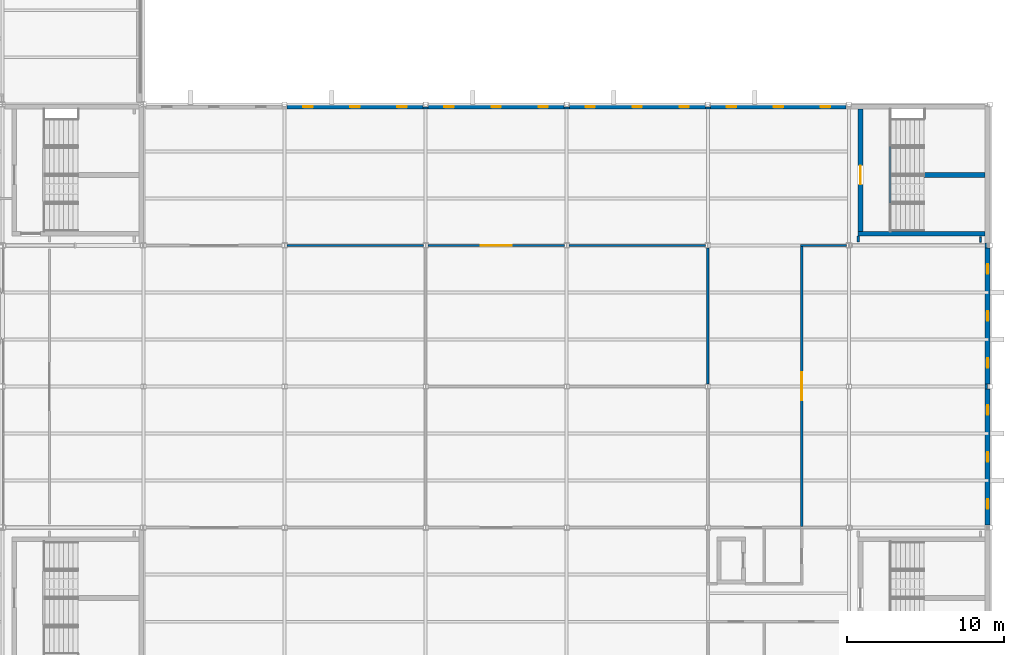
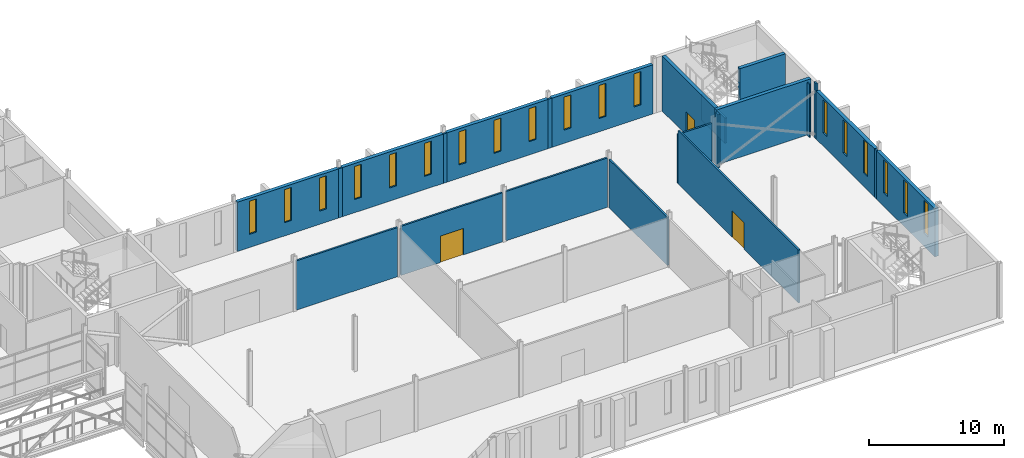
# One storey, part 90 of 115: 23 walls, 18 windows, 3 doors, 21 openings.
"""IFC4 building model written with IfcOpenShell, lengths in metres."""

import ifcopenshell
import ifcopenshell.guid

model = None  # the IFC model being written
_history = None  # IfcOwnerHistory: only IFC2X3 demands one
_inside = {}  # id of a spatial element -> (the spatial element, [elements in it])
_under = {}  # id of a project, library or spatial element -> (it, [spatial elements below it])
_declared = {}  # id of a project -> (the project, [libraries it declares])
_typed = {}  # id of a type object -> (the type object, [elements of that type])
_made_of = {}  # id of a material, layer set ... -> (it, [elements and type objects made of it])


def new_model(schema):
    """Start an empty IFC model of exactly this schema.

    Asked for "IFC4X3", IfcOpenShell would pick the latest addendum, in which some entities
    have other attributes; the version numbers below select the first issue.
    IFC2X3 requires an IfcOwnerHistory on every rooted entity: one is made here for all.
    """
    global model, _history
    if schema == "IFC4X3":
        model = ifcopenshell.file(schema_version=(4, 3, 0, 0))
    else:
        model = ifcopenshell.file(schema=schema)
    _inside.clear()
    _under.clear()
    _declared.clear()
    _typed.clear()
    _made_of.clear()
    _history = None
    if model.schema == "IFC2X3":
        org = make("IfcOrganization", Name="unknown")
        user = make(
            "IfcPersonAndOrganization",
            ThePerson=make("IfcPerson", FamilyName="unknown"),
            TheOrganization=org,
        )
        app = make(
            "IfcApplication",
            ApplicationDeveloper=org,
            Version="unknown",
            ApplicationFullName="unknown",
            ApplicationIdentifier="unknown",
        )
        _history = make(
            "IfcOwnerHistory",
            OwningUser=user,
            OwningApplication=app,
            ChangeAction="ADDED",
            CreationDate=0,
        )
    return model


def make(cls, **values):
    """One entity of the class cls with the attributes given. An attribute that is None is left unset."""
    return model.create_entity(
        cls, **{name: value for name, value in values.items() if value is not None}
    )


def rooted(cls, **values):
    """An entity with a GlobalId (a new one), such as an element, a storey or a relation."""
    return make(cls, GlobalId=ifcopenshell.guid.new(), OwnerHistory=_history, **values)


def si_unit(unit_type, name, prefix=None):
    """IfcSIUnit, for example si_unit("LENGTHUNIT", "METRE", prefix="MILLI")."""
    return make("IfcSIUnit", UnitType=unit_type, Prefix=prefix, Name=name)


def assignment(units):
    """IfcUnitAssignment: the units of a project."""
    return None if units is None else make("IfcUnitAssignment", Units=units)


def point(xyz):
    """IfcCartesianPoint."""
    return None if xyz is None else make("IfcCartesianPoint", Coordinates=xyz)


def direction(xyz):
    """IfcDirection."""
    return None if xyz is None else make("IfcDirection", DirectionRatios=xyz)


def frame(location, z_axis=None, x_axis=None):
    """IfcAxis2Placement3D, a coordinate frame: its origin and axes. An axis left out is left unset."""
    return make(
        "IfcAxis2Placement3D",
        Location=point(location),
        Axis=direction(z_axis),
        RefDirection=direction(x_axis),
    )


def frame_2d(location, x_axis=None):
    """IfcAxis2Placement2D, a coordinate frame in the plane: its origin and x axis."""
    return make(
        "IfcAxis2Placement2D", Location=point(location), RefDirection=direction(x_axis)
    )


def origin():
    """The frame at (0, 0, 0) with its axes left unset."""
    return frame((0.0, 0.0, 0.0))


def place(relative_to, where):
    """IfcLocalPlacement: puts the frame where relative to a parent placement (None: the world)."""
    return make(
        "IfcLocalPlacement", PlacementRelTo=relative_to, RelativePlacement=where
    )


def context(
    kind, dimensions, precision=None, world=None, true_north=None, identifier=None
):
    """IfcGeometricRepresentationContext, for example the 3D "Model" context."""
    return make(
        "IfcGeometricRepresentationContext",
        ContextIdentifier=identifier,
        ContextType=kind,
        CoordinateSpaceDimension=dimensions,
        Precision=precision,
        WorldCoordinateSystem=world,
        TrueNorth=true_north,
    )


def subcontext(parent, identifier, kind, view, scale=None):
    """IfcGeometricRepresentationSubContext, for example "Body" below "Model"."""
    return make(
        "IfcGeometricRepresentationSubContext",
        ContextIdentifier=identifier,
        ContextType=kind,
        ParentContext=parent,
        TargetScale=scale,
        TargetView=view,
    )


def project(units=None, contexts=None):
    """IfcProject with its units and contexts."""
    return rooted(
        "IfcProject",
        Name="project",
        RepresentationContexts=contexts,
        UnitsInContext=assignment(units),
    )


def spatial(cls, under=None, at=None, **own):
    """A site, building, storey or space (cls), placed at a placement, below another one or the project."""
    s = rooted(cls, ObjectPlacement=at, **own)
    if under is not None:
        _under.setdefault(under.id(), (under, []))[1].append(s)
    return s


def profile(cls, at=None, kind="AREA", **sizes):
    """A parametric profile (cls). Its sizes go by their IFC names, for example OverallWidth=200.0."""
    return make(cls, ProfileType=kind, Position=at, **sizes)


def rectangle(**sizes):
    """IfcRectangleProfileDef."""
    return profile("IfcRectangleProfileDef", **sizes)


def extrude(swept, where, along, depth):
    """IfcExtrudedAreaSolid: the profile swept, set in the frame where, extruded along a direction by depth."""
    return make(
        "IfcExtrudedAreaSolid",
        SweptArea=swept,
        Position=where,
        ExtrudedDirection=direction(along),
        Depth=depth,
    )


def shape(context_of_items, identifier, shape_type, items):
    """IfcShapeRepresentation: the items that make up one representation, for example the "Body"."""
    return make(
        "IfcShapeRepresentation",
        ContextOfItems=context_of_items,
        RepresentationIdentifier=identifier,
        RepresentationType=shape_type,
        Items=items,
    )


def material(Name=None, Category=None):
    """IfcMaterial."""
    return make("IfcMaterial", Name=Name, Category=Category)


def layer(
    of_material, thickness, ventilated=None, Name=None, Category=None, Priority=None
):
    """IfcMaterialLayer: one layer of a wall or slab, of a material (None: an air gap)."""
    return make(
        "IfcMaterialLayer",
        Material=of_material,
        LayerThickness=thickness,
        IsVentilated=ventilated,
        Name=Name,
        Category=Category,
        Priority=Priority,
    )


def layer_set(layers, Name=None):
    """IfcMaterialLayerSet."""
    return make("IfcMaterialLayerSet", MaterialLayers=layers, LayerSetName=Name)


def made_of(thing, what):
    """Note that an element or type object is made of a material, layer set ...; save() writes the relation."""
    if what is not None:
        _made_of.setdefault(what.id(), (what, []))[1].append(thing)
    return thing


def type_object(cls, material=None, **own):
    """A type object (cls), such as IfcWallType, which elements share."""
    return made_of(rooted(cls, **own), material)


def element(
    cls,
    number,
    at=None,
    inside=None,
    cuts=None,
    type_object=None,
    material=None,
    context=None,
    identifier="Body",
    shape_type=None,
    held_by="IfcProductDefinitionShape",
    body=None,
    shapes=None,
    **own,
):
    """One element of the class cls, such as IfcWall. Its Tag is "e" and its number.

    at: its placement. inside: the storey or other place that contains it. cuts: it is an
    opening in that element (IfcRelVoidsElement). A single representation is given by context,
    identifier, shape_type and body (its items); several are given by shapes. held_by: the class
    of the entity that holds the representations. save() writes the other relations.
    """
    e = rooted(cls, Tag="e%d" % number, ObjectPlacement=at, **own)
    if body is not None:
        shapes = [shape(context, identifier, shape_type, body)]
    if shapes is not None:
        e.Representation = make(held_by, Representations=shapes)
    if inside is not None:
        _inside.setdefault(inside.id(), (inside, []))[1].append(e)
    if cuts is not None:
        rooted(
            "IfcRelVoidsElement", RelatingBuildingElement=cuts, RelatedOpeningElement=e
        )
    if type_object is not None:
        _typed.setdefault(type_object.id(), (type_object, []))[1].append(e)
    return made_of(e, material)


def fill(opening, filler):
    """IfcRelFillsElement: the door or window that sits in an opening."""
    return rooted(
        "IfcRelFillsElement",
        RelatingOpeningElement=opening,
        RelatedBuildingElement=filler,
    )


def aggregate(whole, parts):
    """IfcRelAggregates: a whole, such as a stair, and the parts it consists of."""
    return rooted("IfcRelAggregates", RelatingObject=whole, RelatedObjects=parts)


def save(model, path):
    """Write the relations noted so far, then the file.

    IfcRelAggregates (storeys below a building ...), IfcRelContainedInSpatialStructure (elements
    in a storey), IfcRelDefinesByType, IfcRelAssociatesMaterial and IfcRelDeclares: one each for
    every whole, place, type object, material and project.
    """
    for whole, parts in _under.values():
        aggregate(whole, parts)
    for where, things in _inside.values():
        rooted(
            "IfcRelContainedInSpatialStructure",
            RelatedElements=things,
            RelatingStructure=where,
        )
    for kind, things in _typed.values():
        rooted("IfcRelDefinesByType", RelatedObjects=things, RelatingType=kind)
    for what, things in _made_of.values():
        rooted("IfcRelAssociatesMaterial", RelatedObjects=things, RelatingMaterial=what)
    for by, libraries in _declared.values():
        rooted("IfcRelDeclares", RelatingContext=by, RelatedDefinitions=libraries)
    model.write(path)


model = new_model("IFC4")

# Units and contexts
model_context = context("Model", 3, precision=1e-05, world=origin(), true_north=direction((0.0, 1.0)))
body_context = subcontext(model_context, "Body", "Model", "MODEL_VIEW")
ifc_project = project(units=[si_unit("LENGTHUNIT", "METRE"), si_unit("AREAUNIT", "SQUARE_METRE"), si_unit("VOLUMEUNIT", "CUBIC_METRE"), si_unit("PLANEANGLEUNIT", "RADIAN"), si_unit("MASSUNIT", "GRAM", prefix="KILO")], contexts=[model_context])

# Site, building, storey
site_placement = place(None, origin())
site = spatial("IfcSite", under=ifc_project, at=site_placement, CompositionType="ELEMENT")
building_placement = place(site_placement, origin())
building = spatial("IfcBuilding", under=site, at=building_placement, Name="Shorebreak Coast Museum", CompositionType="ELEMENT")
storey_placement = place(building_placement, frame((0.0, 0.0, 11.0)))
storey = spatial("IfcBuildingStorey", under=building, at=storey_placement, Name="L02", CompositionType="ELEMENT", Elevation=11.0)

# Walls
ifc_material_1 = material(Name="Concrete N50 (50 MPa)", Category="concrete")
ifc_layer_1 = layer(ifc_material_1, 0.14990234375)
ifc_layer_set_1 = layer_set([ifc_layer_1], Name="Concrete N50 (50 MPa)")
wall_type_1 = type_object("IfcWallType", Name="Column closure panel 150", PredefinedType="SOLIDWALL", material=ifc_layer_set_1)
for number, where, z_axis, x_axis, name in (
    (1, (134.839111328125, 89.77490234375, 0.0), (0.0, 0.0, 1.0), (1.0, 0.0, 0.0), "Column closure panel L02 N 16L"),
    (2, (143.839111328125, 89.77490234375, 0.0), (0.0, 0.0, 1.0), (1.0, 0.0, 0.0), "Column closure panel L02 N 17L"),
    (3, (152.839111328125, 89.77490234375, 0.0), (0.0, 0.0, 1.0), (1.0, 0.0, 0.0), "Column closure panel L02 N 18L"),
):
    element("IfcWall", number, at=place(storey_placement, frame(where, z_axis=z_axis, x_axis=x_axis)), inside=storey, type_object=wall_type_1, Name=name, PredefinedType="SOLIDWALL", context=body_context, shape_type="SweptSolid", body=[
        extrude(rectangle(XDim=0.32177734375, YDim=0.14990234375, at=frame_2d((0.160888671875, 0.0))), origin(), (0.0, 0.0, 1.0), 4.469482421875),
    ])
wall_1_placement = place(storey_placement, frame((170.77490234375, 71.839111328125, 0.0), z_axis=(0.0, 0.0, 1.0), x_axis=(0.0, 1.0, 0.0)))
element("IfcWall", 4, at=wall_1_placement, inside=storey, type_object=wall_type_1, Name="Column closure panel L02 E 20J", PredefinedType="SOLIDWALL", context=body_context, shape_type="SweptSolid", body=[
    extrude(rectangle(XDim=0.32177734375, YDim=0.14990234375, at=frame_2d((0.160888671875, 0.0))), origin(), (0.0, 0.0, 1.0), 4.37109375),
])
wall_2_placement = place(storey_placement, frame((170.77490234375, 80.827880859375, 0.0), z_axis=(0.0, 0.0, 1.0), x_axis=(0.0, 1.0, 0.0)))
element("IfcWall", 5, at=wall_2_placement, inside=storey, type_object=wall_type_1, Name="Column closure panel L02 E 20K", PredefinedType="SOLIDWALL", context=body_context, shape_type="SweptSolid", body=[
    extrude(rectangle(XDim=0.322021484375, YDim=0.14990234375, at=frame_2d((0.1611328125, 0.0))), origin(), (0.0, 0.0, 1.0), 5.0),
])
ifc_material_2 = material(Name="Plasterboard on steel stud", Category="steel")
ifc_layer_2 = layer(ifc_material_2, 0.14990234375)
ifc_layer_set_2 = layer_set([ifc_layer_2], Name="Plasterboard on steel stud")
wall_type_2 = type_object("IfcWallType", Name="Fire partition 150", PredefinedType="PARTITIONING", material=ifc_layer_set_2)
wall_3_placement = place(storey_placement, frame((126.153564453125, 81.0, 0.0), z_axis=(0.0, 0.0, 1.0), x_axis=(1.0, 0.0, 0.0)))
element("IfcWall", 6, at=wall_3_placement, inside=storey, type_object=wall_type_2, Name="Partition L02-055", PredefinedType="PARTITIONING", context=body_context, shape_type="SweptSolid", body=[
    extrude(rectangle(XDim=8.69287109375, YDim=0.14990234375, at=frame_2d((4.346435546875, 0.0))), origin(), (0.0, 0.0, 1.0), 4.469482421875),
])

# Wall, opening, door
wall_4_placement = place(storey_placement, frame((135.153564453125, 81.0, 0.0), z_axis=(0.0, 0.0, 1.0), x_axis=(1.0, 0.0, 0.0)))
wall_4 = element("IfcWall", 7, at=wall_4_placement, inside=storey, type_object=wall_type_2, Name="Partition L02-056", PredefinedType="PARTITIONING", context=body_context, shape_type="SweptSolid", body=[
    extrude(rectangle(XDim=8.69287109375, YDim=0.14990234375, at=frame_2d((4.346435546875, 0.0))), origin(), (0.0, 0.0, 1.0), 4.469482421875),
])
opening_1_placement = place(wall_4_placement, frame((3.35009765625, 0.0, 0.0)))
opening_1 = element("IfcOpeningElement", 8, at=opening_1_placement, cuts=wall_4, Name="Opening D2064", PredefinedType="OPENING", context=body_context, shape_type="SweptSolid", body=[
    extrude(rectangle(XDim=2.0, YDim=2.39990234375, at=frame_2d((1.0, 1.199951171875))), frame((0.0, 0.0849609375, 0.0), z_axis=(0.0, -1.0, 0.0), x_axis=(1.0, 0.0, 0.0)), (0.0, 0.0, 1.0), 0.169921875),
])
ifc_material_3 = material(Name="Steel", Category="steel")
door_type_1 = type_object("IfcDoorType", Name="Fire door 2000x2400 60", OperationType="DOUBLE_DOOR_SINGLE_SWING", PredefinedType="DOOR", material=ifc_material_3)
door_1_placement = place(opening_1_placement, origin())
door_1 = element("IfcDoor", 9, at=door_1_placement, inside=storey, type_object=door_type_1, Name="Door D2064 Archive 2.09", OperationType="DOUBLE_DOOR_SINGLE_SWING", OverallHeight=2.39990234375, OverallWidth=2.0, PredefinedType="DOOR", context=body_context, shape_type="SweptSolid", body=[
    extrude(rectangle(XDim=2.0, YDim=2.39990234375, at=frame_2d((1.0, 1.199951171875))), frame((0.0, 0.02490234375, 0.0), z_axis=(0.0, -1.0, 0.0), x_axis=(1.0, 0.0, 0.0)), (0.0, 0.0, 1.0), 0.050048828125),
])
fill(opening_1, door_1)

# Walls
wall_5_placement = place(storey_placement, frame((144.153564453125, 81.0, 0.0), z_axis=(0.0, 0.0, 1.0), x_axis=(1.0, 0.0, 0.0)))
element("IfcWall", 10, at=wall_5_placement, inside=storey, type_object=wall_type_2, Name="Partition L02-057", PredefinedType="PARTITIONING", context=body_context, shape_type="SweptSolid", body=[
    extrude(rectangle(XDim=8.69287109375, YDim=0.14990234375, at=frame_2d((4.346435546875, 0.0))), origin(), (0.0, 0.0, 1.0), 4.469482421875),
])
wall_6_placement = place(storey_placement, frame((158.925048828125, 81.0, 0.0), z_axis=(0.0, 0.0, 1.0), x_axis=(1.0, 0.0, 0.0)))
element("IfcWall", 11, at=wall_6_placement, inside=storey, type_object=wall_type_2, Name="Partition L02-058", PredefinedType="PARTITIONING", context=body_context, shape_type="SweptSolid", body=[
    extrude(rectangle(XDim=2.92138671875, YDim=0.14990234375, at=frame_2d((1.460693359375, 0.0))), origin(), (0.0, 0.0, 1.0), 4.469482421875),
])
wall_7_placement = place(storey_placement, frame((153.0, 72.1572265625, 0.0), z_axis=(0.0, 0.0, 1.0), x_axis=(0.0, 1.0, 0.0)))
element("IfcWall", 12, at=wall_7_placement, inside=storey, type_object=wall_type_2, Name="Partition L02-183", PredefinedType="PARTITIONING", context=body_context, shape_type="SweptSolid", body=[
    extrude(rectangle(XDim=8.685546875, YDim=0.14990234375, at=frame_2d((4.3427734375, 0.0))), origin(), (0.0, 0.0, 1.0), 4.37109375),
])

# Wall, opening, door
wall_8_placement = place(storey_placement, frame((159.0, 63.074951171875, 0.0), z_axis=(0.0, 0.0, 1.0), x_axis=(0.0, 1.0, 0.0)))
wall_8 = element("IfcWall", 13, at=wall_8_placement, inside=storey, type_object=wall_type_2, Name="Partition L02-187", PredefinedType="PARTITIONING", context=body_context, shape_type="SweptSolid", body=[
    extrude(rectangle(XDim=17.85009765625, YDim=0.14990234375, at=frame_2d((8.925048828125, 0.0))), origin(), (0.0, 0.0, 1.0), 4.824951171875),
])
opening_2_placement = place(wall_8_placement, frame((8.050048828125, 0.0, 0.0)))
opening_2 = element("IfcOpeningElement", 14, at=opening_2_placement, cuts=wall_8, Name="Opening D2065", PredefinedType="OPENING", context=body_context, shape_type="SweptSolid", body=[
    extrude(rectangle(XDim=1.800048828125, YDim=2.39990234375, at=frame_2d((0.89990234375, 1.199951171875))), frame((0.0, 0.0849609375, 0.0), z_axis=(0.0, -1.0, 0.0), x_axis=(1.0, 0.0, 0.0)), (0.0, 0.0, 1.0), 0.169921875),
])
ifc_material_4 = material(Name="Steel", Category="steel")
door_type_2 = type_object("IfcDoorType", Name="Fire door 1800x2400 60", OperationType="DOUBLE_DOOR_SINGLE_SWING", PredefinedType="DOOR", material=ifc_material_4)
door_2_placement = place(opening_2_placement, origin())
door_2 = element("IfcDoor", 15, at=door_2_placement, inside=storey, type_object=door_type_2, Name="Door D2065 Media Gallery", OperationType="DOUBLE_DOOR_SINGLE_SWING", OverallHeight=2.39990234375, OverallWidth=1.800048828125, PredefinedType="DOOR", context=body_context, shape_type="SweptSolid", body=[
    extrude(rectangle(XDim=1.800048828125, YDim=2.39990234375, at=frame_2d((0.89990234375, 1.199951171875))), frame((0.0, 0.02490234375, 0.0), z_axis=(0.0, -1.0, 0.0), x_axis=(1.0, 0.0, 0.0)), (0.0, 0.0, 1.0), 0.050048828125),
])
fill(opening_2, door_2)

# Walls
wall_9_placement = place(storey_placement, frame((162.60009765625, 81.219970703125, 0.0), z_axis=(0.0, 0.0, 1.0), x_axis=(0.0, 1.0, 0.0)))
element("IfcWall", 16, at=wall_9_placement, inside=storey, type_object=wall_type_2, Name="Partition L02-189", PredefinedType="PARTITIONING", context=body_context, shape_type="SweptSolid", body=[
    extrude(rectangle(XDim=0.380126953125, YDim=0.14990234375, at=frame_2d((0.18994140625, 0.0))), origin(), (0.0, 0.0, 1.0), 4.824951171875),
])
ifc_material_5 = material(Name="Plasterboard on steel stud", Category="steel")
ifc_layer_3 = layer(ifc_material_5, 0.10009765625)
ifc_layer_set_3 = layer_set([ifc_layer_3], Name="Plasterboard on steel stud")
wall_type_3 = type_object("IfcWallType", Name="Partition 100", PredefinedType="PARTITIONING", material=ifc_layer_set_3)
wall_10_placement = place(storey_placement, frame((170.39990234375, 81.219970703125, 0.0), z_axis=(0.0, 0.0, 1.0), x_axis=(0.0, 1.0, 0.0)))
element("IfcWall", 17, at=wall_10_placement, inside=storey, type_object=wall_type_3, Name="Partition L02-191", PredefinedType="PARTITIONING", context=body_context, shape_type="SweptSolid", body=[
    extrude(rectangle(XDim=0.330078125, YDim=0.10009765625, at=frame_2d((0.1650390625, 0.0))), origin(), (0.0, 0.0, 1.0), 4.824951171875),
])

# Wall, openings, windows
ifc_material_6 = material(Name="Concrete N50 (50 MPa)", Category="concrete")
ifc_layer_4 = layer(ifc_material_6, 0.300048828125)
ifc_layer_set_4 = layer_set([ifc_layer_4], Name="Concrete N50 (50 MPa)")
wall_type_4 = type_object("IfcWallType", Name="Precast board-marked panel 300", PredefinedType="SOLIDWALL", material=ifc_layer_set_4)
wall_11_placement = place(storey_placement, frame((170.85009765625, 63.172119140625, 0.0), z_axis=(0.0, 0.0, 1.0), x_axis=(0.0, 1.0, 0.0)))
wall_11 = element("IfcWall", 18, at=wall_11_placement, inside=storey, type_object=wall_type_4, Name="External wall L02 E 20H", PredefinedType="SOLIDWALL", context=body_context, shape_type="SweptSolid", body=[
    extrude(rectangle(XDim=8.6669921875, YDim=0.300048828125, at=frame_2d((4.33349609375, 0.0))), origin(), (0.0, 0.0, 1.0), 4.37109375),
])
opening_3_placement = place(wall_11_placement, frame((1.028076171875, 0.0, 1.199951171875)))
opening_3 = element("IfcOpeningElement", 19, at=opening_3_placement, cuts=wall_11, Name="Opening WN2008", PredefinedType="OPENING", context=body_context, shape_type="SweptSolid", body=[
    extrude(rectangle(XDim=0.60009765625, YDim=3.0, at=frame_2d((0.300048828125, 1.5))), frame((0.0, 0.159912109375, 0.0), z_axis=(0.0, -1.0, 0.0), x_axis=(1.0, 0.0, 0.0)), (0.0, 0.0, 1.0), 0.320068359375),
])
opening_4_placement = place(wall_11_placement, frame((4.028076171875, 0.0, 1.199951171875)))
opening_4 = element("IfcOpeningElement", 20, at=opening_4_placement, cuts=wall_11, Name="Opening WN2009", PredefinedType="OPENING", context=body_context, shape_type="SweptSolid", body=[
    extrude(rectangle(XDim=0.60009765625, YDim=3.0, at=frame_2d((0.300048828125, 1.5))), frame((0.0, 0.159912109375, 0.0), z_axis=(0.0, -1.0, 0.0), x_axis=(1.0, 0.0, 0.0)), (0.0, 0.0, 1.0), 0.320068359375),
])
opening_5_placement = place(wall_11_placement, frame((7.028076171875, 0.0, 1.199951171875)))
opening_5 = element("IfcOpeningElement", 21, at=opening_5_placement, cuts=wall_11, Name="Opening WN2010", PredefinedType="OPENING", context=body_context, shape_type="SweptSolid", body=[
    extrude(rectangle(XDim=0.60009765625, YDim=3.0, at=frame_2d((0.300048828125, 1.5))), frame((0.0, 0.159912109375, 0.0), z_axis=(0.0, -1.0, 0.0), x_axis=(1.0, 0.0, 0.0)), (0.0, 0.0, 1.0), 0.320068359375),
])
ifc_material_7 = material(Name="Aluminium", Category="aluminium")
window_type = type_object("IfcWindowType", Name="Hall slot window 600 x 3000", PartitioningType="SINGLE_PANEL", PredefinedType="WINDOW", material=ifc_material_7)
window_1_placement = place(opening_3_placement, origin())
window_1 = element("IfcWindow", 22, at=window_1_placement, inside=storey, type_object=window_type, Name="Window WN2008", OverallHeight=3.0, OverallWidth=0.60009765625, PartitioningType="SINGLE_PANEL", PredefinedType="WINDOW", context=body_context, shape_type="SweptSolid", body=[
    extrude(rectangle(XDim=0.60009765625, YDim=3.0, at=frame_2d((0.300048828125, 1.5))), frame((0.0, 0.030029296875, 0.0), z_axis=(0.0, -1.0, 0.0), x_axis=(1.0, 0.0, 0.0)), (0.0, 0.0, 1.0), 0.06005859375),
])
fill(opening_3, window_1)
window_2_placement = place(opening_4_placement, origin())
window_2 = element("IfcWindow", 23, at=window_2_placement, inside=storey, type_object=window_type, Name="Window WN2009", OverallHeight=3.0, OverallWidth=0.60009765625, PartitioningType="SINGLE_PANEL", PredefinedType="WINDOW", context=body_context, shape_type="SweptSolid", body=[
    extrude(rectangle(XDim=0.60009765625, YDim=3.0, at=frame_2d((0.300048828125, 1.5))), frame((0.0, 0.030029296875, 0.0), z_axis=(0.0, -1.0, 0.0), x_axis=(1.0, 0.0, 0.0)), (0.0, 0.0, 1.0), 0.06005859375),
])
fill(opening_4, window_2)
window_3_placement = place(opening_5_placement, origin())
window_3 = element("IfcWindow", 24, at=window_3_placement, inside=storey, type_object=window_type, Name="Window WN2010", OverallHeight=3.0, OverallWidth=0.60009765625, PartitioningType="SINGLE_PANEL", PredefinedType="WINDOW", context=body_context, shape_type="SweptSolid", body=[
    extrude(rectangle(XDim=0.60009765625, YDim=3.0, at=frame_2d((0.300048828125, 1.5))), frame((0.0, 0.030029296875, 0.0), z_axis=(0.0, -1.0, 0.0), x_axis=(1.0, 0.0, 0.0)), (0.0, 0.0, 1.0), 0.06005859375),
])
fill(opening_5, window_3)

wall_12_placement = place(storey_placement, frame((170.85009765625, 72.160888671875, 0.0), z_axis=(0.0, 0.0, 1.0), x_axis=(0.0, 1.0, 0.0)))
wall_12 = element("IfcWall", 25, at=wall_12_placement, inside=storey, type_object=wall_type_4, Name="External wall L02 E 20J", PredefinedType="SOLIDWALL", context=body_context, shape_type="SweptSolid", body=[
    extrude(rectangle(XDim=8.6669921875, YDim=0.300048828125, at=frame_2d((4.33349609375, 0.0))), origin(), (0.0, 0.0, 1.0), 4.37109375),
])
opening_6_placement = place(wall_12_placement, frame((1.0390625, 0.0, 1.199951171875)))
opening_6 = element("IfcOpeningElement", 26, at=opening_6_placement, cuts=wall_12, Name="Opening WN2011", PredefinedType="OPENING", context=body_context, shape_type="SweptSolid", body=[
    extrude(rectangle(XDim=0.60009765625, YDim=3.0, at=frame_2d((0.300048828125, 1.5))), frame((0.0, 0.159912109375, 0.0), z_axis=(0.0, -1.0, 0.0), x_axis=(1.0, 0.0, 0.0)), (0.0, 0.0, 1.0), 0.320068359375),
])
opening_7_placement = place(wall_12_placement, frame((4.0390625, 0.0, 1.199951171875)))
opening_7 = element("IfcOpeningElement", 27, at=opening_7_placement, cuts=wall_12, Name="Opening WN2012", PredefinedType="OPENING", context=body_context, shape_type="SweptSolid", body=[
    extrude(rectangle(XDim=0.60009765625, YDim=3.0, at=frame_2d((0.300048828125, 1.5))), frame((0.0, 0.159912109375, 0.0), z_axis=(0.0, -1.0, 0.0), x_axis=(1.0, 0.0, 0.0)), (0.0, 0.0, 1.0), 0.320068359375),
])
opening_8_placement = place(wall_12_placement, frame((7.0390625, 0.0, 1.199951171875)))
opening_8 = element("IfcOpeningElement", 28, at=opening_8_placement, cuts=wall_12, Name="Opening WN2013", PredefinedType="OPENING", context=body_context, shape_type="SweptSolid", body=[
    extrude(rectangle(XDim=0.60009765625, YDim=3.0, at=frame_2d((0.300048828125, 1.5))), frame((0.0, 0.159912109375, 0.0), z_axis=(0.0, -1.0, 0.0), x_axis=(1.0, 0.0, 0.0)), (0.0, 0.0, 1.0), 0.320068359375),
])
window_4_placement = place(opening_6_placement, origin())
window_4 = element("IfcWindow", 29, at=window_4_placement, inside=storey, type_object=window_type, Name="Window WN2011", OverallHeight=3.0, OverallWidth=0.60009765625, PartitioningType="SINGLE_PANEL", PredefinedType="WINDOW", context=body_context, shape_type="SweptSolid", body=[
    extrude(rectangle(XDim=0.60009765625, YDim=3.0, at=frame_2d((0.300048828125, 1.5))), frame((0.0, 0.030029296875, 0.0), z_axis=(0.0, -1.0, 0.0), x_axis=(1.0, 0.0, 0.0)), (0.0, 0.0, 1.0), 0.06005859375),
])
fill(opening_6, window_4)
window_5_placement = place(opening_7_placement, origin())
window_5 = element("IfcWindow", 30, at=window_5_placement, inside=storey, type_object=window_type, Name="Window WN2012", OverallHeight=3.0, OverallWidth=0.60009765625, PartitioningType="SINGLE_PANEL", PredefinedType="WINDOW", context=body_context, shape_type="SweptSolid", body=[
    extrude(rectangle(XDim=0.60009765625, YDim=3.0, at=frame_2d((0.300048828125, 1.5))), frame((0.0, 0.030029296875, 0.0), z_axis=(0.0, -1.0, 0.0), x_axis=(1.0, 0.0, 0.0)), (0.0, 0.0, 1.0), 0.06005859375),
])
fill(opening_7, window_5)
window_6_placement = place(opening_8_placement, origin())
window_6 = element("IfcWindow", 31, at=window_6_placement, inside=storey, type_object=window_type, Name="Window WN2013", OverallHeight=3.0, OverallWidth=0.60009765625, PartitioningType="SINGLE_PANEL", PredefinedType="WINDOW", context=body_context, shape_type="SweptSolid", body=[
    extrude(rectangle(XDim=0.60009765625, YDim=3.0, at=frame_2d((0.300048828125, 1.5))), frame((0.0, 0.030029296875, 0.0), z_axis=(0.0, -1.0, 0.0), x_axis=(1.0, 0.0, 0.0)), (0.0, 0.0, 1.0), 0.06005859375),
])
fill(opening_8, window_6)

wall_13_placement = place(storey_placement, frame((126.160888671875, 89.85009765625, 0.0), z_axis=(0.0, 0.0, 1.0), x_axis=(1.0, 0.0, 0.0)))
wall_13 = element("IfcWall", 32, at=wall_13_placement, inside=storey, type_object=wall_type_4, Name="External wall L02 N 15L", PredefinedType="SOLIDWALL", context=body_context, shape_type="SweptSolid", body=[
    extrude(rectangle(XDim=8.67822265625, YDim=0.300048828125, at=frame_2d((4.339111328125, 0.0))), origin(), (0.0, 0.0, 1.0), 4.469482421875),
])
opening_9_placement = place(wall_13_placement, frame((1.0390625, 0.0, 1.199951171875)))
opening_9 = element("IfcOpeningElement", 33, at=opening_9_placement, cuts=wall_13, Name="Opening WN2021", PredefinedType="OPENING", context=body_context, shape_type="SweptSolid", body=[
    extrude(rectangle(XDim=0.60009765625, YDim=3.0, at=frame_2d((0.300048828125, 1.5))), frame((0.0, 0.159912109375, 0.0), z_axis=(0.0, -1.0, 0.0), x_axis=(1.0, 0.0, 0.0)), (0.0, 0.0, 1.0), 0.320068359375),
])
opening_10_placement = place(wall_13_placement, frame((4.0390625, 0.0, 1.199951171875)))
opening_10 = element("IfcOpeningElement", 34, at=opening_10_placement, cuts=wall_13, Name="Opening WN2022", PredefinedType="OPENING", context=body_context, shape_type="SweptSolid", body=[
    extrude(rectangle(XDim=0.60009765625, YDim=3.0, at=frame_2d((0.300048828125, 1.5))), frame((0.0, 0.159912109375, 0.0), z_axis=(0.0, -1.0, 0.0), x_axis=(1.0, 0.0, 0.0)), (0.0, 0.0, 1.0), 0.320068359375),
])
opening_11_placement = place(wall_13_placement, frame((7.0390625, 0.0, 1.199951171875)))
opening_11 = element("IfcOpeningElement", 35, at=opening_11_placement, cuts=wall_13, Name="Opening WN2023", PredefinedType="OPENING", context=body_context, shape_type="SweptSolid", body=[
    extrude(rectangle(XDim=0.60009765625, YDim=3.0, at=frame_2d((0.300048828125, 1.5))), frame((0.0, 0.159912109375, 0.0), z_axis=(0.0, -1.0, 0.0), x_axis=(1.0, 0.0, 0.0)), (0.0, 0.0, 1.0), 0.320068359375),
])
window_7_placement = place(opening_9_placement, origin())
window_7 = element("IfcWindow", 36, at=window_7_placement, inside=storey, type_object=window_type, Name="Window WN2021", OverallHeight=3.0, OverallWidth=0.60009765625, PartitioningType="SINGLE_PANEL", PredefinedType="WINDOW", context=body_context, shape_type="SweptSolid", body=[
    extrude(rectangle(XDim=0.60009765625, YDim=3.0, at=frame_2d((0.300048828125, 1.5))), frame((0.0, 0.030029296875, 0.0), z_axis=(0.0, -1.0, 0.0), x_axis=(1.0, 0.0, 0.0)), (0.0, 0.0, 1.0), 0.06005859375),
])
fill(opening_9, window_7)
window_8_placement = place(opening_10_placement, origin())
window_8 = element("IfcWindow", 37, at=window_8_placement, inside=storey, type_object=window_type, Name="Window WN2022", OverallHeight=3.0, OverallWidth=0.60009765625, PartitioningType="SINGLE_PANEL", PredefinedType="WINDOW", context=body_context, shape_type="SweptSolid", body=[
    extrude(rectangle(XDim=0.60009765625, YDim=3.0, at=frame_2d((0.300048828125, 1.5))), frame((0.0, 0.030029296875, 0.0), z_axis=(0.0, -1.0, 0.0), x_axis=(1.0, 0.0, 0.0)), (0.0, 0.0, 1.0), 0.06005859375),
])
fill(opening_10, window_8)
window_9_placement = place(opening_11_placement, origin())
window_9 = element("IfcWindow", 38, at=window_9_placement, inside=storey, type_object=window_type, Name="Window WN2023", OverallHeight=3.0, OverallWidth=0.60009765625, PartitioningType="SINGLE_PANEL", PredefinedType="WINDOW", context=body_context, shape_type="SweptSolid", body=[
    extrude(rectangle(XDim=0.60009765625, YDim=3.0, at=frame_2d((0.300048828125, 1.5))), frame((0.0, 0.030029296875, 0.0), z_axis=(0.0, -1.0, 0.0), x_axis=(1.0, 0.0, 0.0)), (0.0, 0.0, 1.0), 0.06005859375),
])
fill(opening_11, window_9)

wall_14_placement = place(storey_placement, frame((135.160888671875, 89.85009765625, 0.0), z_axis=(0.0, 0.0, 1.0), x_axis=(1.0, 0.0, 0.0)))
wall_14 = element("IfcWall", 39, at=wall_14_placement, inside=storey, type_object=wall_type_4, Name="External wall L02 N 16L", PredefinedType="SOLIDWALL", context=body_context, shape_type="SweptSolid", body=[
    extrude(rectangle(XDim=8.67822265625, YDim=0.300048828125, at=frame_2d((4.339111328125, 0.0))), origin(), (0.0, 0.0, 1.0), 4.469482421875),
])
opening_12_placement = place(wall_14_placement, frame((1.0390625, 0.0, 1.199951171875)))
opening_12 = element("IfcOpeningElement", 40, at=opening_12_placement, cuts=wall_14, Name="Opening WN2024", PredefinedType="OPENING", context=body_context, shape_type="SweptSolid", body=[
    extrude(rectangle(XDim=0.60009765625, YDim=3.0, at=frame_2d((0.300048828125, 1.5))), frame((0.0, 0.159912109375, 0.0), z_axis=(0.0, -1.0, 0.0), x_axis=(1.0, 0.0, 0.0)), (0.0, 0.0, 1.0), 0.320068359375),
])
opening_13_placement = place(wall_14_placement, frame((4.0390625, 0.0, 1.199951171875)))
opening_13 = element("IfcOpeningElement", 41, at=opening_13_placement, cuts=wall_14, Name="Opening WN2025", PredefinedType="OPENING", context=body_context, shape_type="SweptSolid", body=[
    extrude(rectangle(XDim=0.60009765625, YDim=3.0, at=frame_2d((0.300048828125, 1.5))), frame((0.0, 0.159912109375, 0.0), z_axis=(0.0, -1.0, 0.0), x_axis=(1.0, 0.0, 0.0)), (0.0, 0.0, 1.0), 0.320068359375),
])
opening_14_placement = place(wall_14_placement, frame((7.0390625, 0.0, 1.199951171875)))
opening_14 = element("IfcOpeningElement", 42, at=opening_14_placement, cuts=wall_14, Name="Opening WN2026", PredefinedType="OPENING", context=body_context, shape_type="SweptSolid", body=[
    extrude(rectangle(XDim=0.60009765625, YDim=3.0, at=frame_2d((0.300048828125, 1.5))), frame((0.0, 0.159912109375, 0.0), z_axis=(0.0, -1.0, 0.0), x_axis=(1.0, 0.0, 0.0)), (0.0, 0.0, 1.0), 0.320068359375),
])
window_10_placement = place(opening_12_placement, origin())
window_10 = element("IfcWindow", 43, at=window_10_placement, inside=storey, type_object=window_type, Name="Window WN2024", OverallHeight=3.0, OverallWidth=0.60009765625, PartitioningType="SINGLE_PANEL", PredefinedType="WINDOW", context=body_context, shape_type="SweptSolid", body=[
    extrude(rectangle(XDim=0.60009765625, YDim=3.0, at=frame_2d((0.300048828125, 1.5))), frame((0.0, 0.030029296875, 0.0), z_axis=(0.0, -1.0, 0.0), x_axis=(1.0, 0.0, 0.0)), (0.0, 0.0, 1.0), 0.06005859375),
])
fill(opening_12, window_10)
window_11_placement = place(opening_13_placement, origin())
window_11 = element("IfcWindow", 44, at=window_11_placement, inside=storey, type_object=window_type, Name="Window WN2025", OverallHeight=3.0, OverallWidth=0.60009765625, PartitioningType="SINGLE_PANEL", PredefinedType="WINDOW", context=body_context, shape_type="SweptSolid", body=[
    extrude(rectangle(XDim=0.60009765625, YDim=3.0, at=frame_2d((0.300048828125, 1.5))), frame((0.0, 0.030029296875, 0.0), z_axis=(0.0, -1.0, 0.0), x_axis=(1.0, 0.0, 0.0)), (0.0, 0.0, 1.0), 0.06005859375),
])
fill(opening_13, window_11)
window_12_placement = place(opening_14_placement, origin())
window_12 = element("IfcWindow", 45, at=window_12_placement, inside=storey, type_object=window_type, Name="Window WN2026", OverallHeight=3.0, OverallWidth=0.60009765625, PartitioningType="SINGLE_PANEL", PredefinedType="WINDOW", context=body_context, shape_type="SweptSolid", body=[
    extrude(rectangle(XDim=0.60009765625, YDim=3.0, at=frame_2d((0.300048828125, 1.5))), frame((0.0, 0.030029296875, 0.0), z_axis=(0.0, -1.0, 0.0), x_axis=(1.0, 0.0, 0.0)), (0.0, 0.0, 1.0), 0.06005859375),
])
fill(opening_14, window_12)

wall_15_placement = place(storey_placement, frame((144.160888671875, 89.85009765625, 0.0), z_axis=(0.0, 0.0, 1.0), x_axis=(1.0, 0.0, 0.0)))
wall_15 = element("IfcWall", 46, at=wall_15_placement, inside=storey, type_object=wall_type_4, Name="External wall L02 N 17L", PredefinedType="SOLIDWALL", context=body_context, shape_type="SweptSolid", body=[
    extrude(rectangle(XDim=8.67822265625, YDim=0.300048828125, at=frame_2d((4.339111328125, 0.0))), origin(), (0.0, 0.0, 1.0), 4.469482421875),
])
opening_15_placement = place(wall_15_placement, frame((1.0390625, 0.0, 1.199951171875)))
opening_15 = element("IfcOpeningElement", 47, at=opening_15_placement, cuts=wall_15, Name="Opening WN2027", PredefinedType="OPENING", context=body_context, shape_type="SweptSolid", body=[
    extrude(rectangle(XDim=0.60009765625, YDim=3.0, at=frame_2d((0.300048828125, 1.5))), frame((0.0, 0.159912109375, 0.0), z_axis=(0.0, -1.0, 0.0), x_axis=(1.0, 0.0, 0.0)), (0.0, 0.0, 1.0), 0.320068359375),
])
opening_16_placement = place(wall_15_placement, frame((4.0390625, 0.0, 1.199951171875)))
opening_16 = element("IfcOpeningElement", 48, at=opening_16_placement, cuts=wall_15, Name="Opening WN2028", PredefinedType="OPENING", context=body_context, shape_type="SweptSolid", body=[
    extrude(rectangle(XDim=0.60009765625, YDim=3.0, at=frame_2d((0.300048828125, 1.5))), frame((0.0, 0.159912109375, 0.0), z_axis=(0.0, -1.0, 0.0), x_axis=(1.0, 0.0, 0.0)), (0.0, 0.0, 1.0), 0.320068359375),
])
opening_17_placement = place(wall_15_placement, frame((7.0390625, 0.0, 1.199951171875)))
opening_17 = element("IfcOpeningElement", 49, at=opening_17_placement, cuts=wall_15, Name="Opening WN2029", PredefinedType="OPENING", context=body_context, shape_type="SweptSolid", body=[
    extrude(rectangle(XDim=0.60009765625, YDim=3.0, at=frame_2d((0.300048828125, 1.5))), frame((0.0, 0.159912109375, 0.0), z_axis=(0.0, -1.0, 0.0), x_axis=(1.0, 0.0, 0.0)), (0.0, 0.0, 1.0), 0.320068359375),
])
window_13_placement = place(opening_15_placement, origin())
window_13 = element("IfcWindow", 50, at=window_13_placement, inside=storey, type_object=window_type, Name="Window WN2027", OverallHeight=3.0, OverallWidth=0.60009765625, PartitioningType="SINGLE_PANEL", PredefinedType="WINDOW", context=body_context, shape_type="SweptSolid", body=[
    extrude(rectangle(XDim=0.60009765625, YDim=3.0, at=frame_2d((0.300048828125, 1.5))), frame((0.0, 0.030029296875, 0.0), z_axis=(0.0, -1.0, 0.0), x_axis=(1.0, 0.0, 0.0)), (0.0, 0.0, 1.0), 0.06005859375),
])
fill(opening_15, window_13)
window_14_placement = place(opening_16_placement, origin())
window_14 = element("IfcWindow", 51, at=window_14_placement, inside=storey, type_object=window_type, Name="Window WN2028", OverallHeight=3.0, OverallWidth=0.60009765625, PartitioningType="SINGLE_PANEL", PredefinedType="WINDOW", context=body_context, shape_type="SweptSolid", body=[
    extrude(rectangle(XDim=0.60009765625, YDim=3.0, at=frame_2d((0.300048828125, 1.5))), frame((0.0, 0.030029296875, 0.0), z_axis=(0.0, -1.0, 0.0), x_axis=(1.0, 0.0, 0.0)), (0.0, 0.0, 1.0), 0.06005859375),
])
fill(opening_16, window_14)
window_15_placement = place(opening_17_placement, origin())
window_15 = element("IfcWindow", 52, at=window_15_placement, inside=storey, type_object=window_type, Name="Window WN2029", OverallHeight=3.0, OverallWidth=0.60009765625, PartitioningType="SINGLE_PANEL", PredefinedType="WINDOW", context=body_context, shape_type="SweptSolid", body=[
    extrude(rectangle(XDim=0.60009765625, YDim=3.0, at=frame_2d((0.300048828125, 1.5))), frame((0.0, 0.030029296875, 0.0), z_axis=(0.0, -1.0, 0.0), x_axis=(1.0, 0.0, 0.0)), (0.0, 0.0, 1.0), 0.06005859375),
])
fill(opening_17, window_15)

wall_16_placement = place(storey_placement, frame((153.160888671875, 89.85009765625, 0.0), z_axis=(0.0, 0.0, 1.0), x_axis=(1.0, 0.0, 0.0)))
wall_16 = element("IfcWall", 53, at=wall_16_placement, inside=storey, type_object=wall_type_4, Name="External wall L02 N 18L", PredefinedType="SOLIDWALL", context=body_context, shape_type="SweptSolid", body=[
    extrude(rectangle(XDim=8.6669921875, YDim=0.300048828125, at=frame_2d((4.33349609375, 0.0))), origin(), (0.0, 0.0, 1.0), 4.469482421875),
])
opening_18_placement = place(wall_16_placement, frame((1.0390625, 0.0, 1.199951171875)))
opening_18 = element("IfcOpeningElement", 54, at=opening_18_placement, cuts=wall_16, Name="Opening WN2030", PredefinedType="OPENING", context=body_context, shape_type="SweptSolid", body=[
    extrude(rectangle(XDim=0.60009765625, YDim=3.0, at=frame_2d((0.300048828125, 1.5))), frame((0.0, 0.159912109375, 0.0), z_axis=(0.0, -1.0, 0.0), x_axis=(1.0, 0.0, 0.0)), (0.0, 0.0, 1.0), 0.320068359375),
])
opening_19_placement = place(wall_16_placement, frame((4.0390625, 0.0, 1.199951171875)))
opening_19 = element("IfcOpeningElement", 55, at=opening_19_placement, cuts=wall_16, Name="Opening WN2031", PredefinedType="OPENING", context=body_context, shape_type="SweptSolid", body=[
    extrude(rectangle(XDim=0.60009765625, YDim=3.0, at=frame_2d((0.300048828125, 1.5))), frame((0.0, 0.159912109375, 0.0), z_axis=(0.0, -1.0, 0.0), x_axis=(1.0, 0.0, 0.0)), (0.0, 0.0, 1.0), 0.320068359375),
])
opening_20_placement = place(wall_16_placement, frame((7.0390625, 0.0, 1.199951171875)))
opening_20 = element("IfcOpeningElement", 56, at=opening_20_placement, cuts=wall_16, Name="Opening WN2032", PredefinedType="OPENING", context=body_context, shape_type="SweptSolid", body=[
    extrude(rectangle(XDim=0.60009765625, YDim=3.0, at=frame_2d((0.300048828125, 1.5))), frame((0.0, 0.159912109375, 0.0), z_axis=(0.0, -1.0, 0.0), x_axis=(1.0, 0.0, 0.0)), (0.0, 0.0, 1.0), 0.320068359375),
])
window_16_placement = place(opening_18_placement, origin())
window_16 = element("IfcWindow", 57, at=window_16_placement, inside=storey, type_object=window_type, Name="Window WN2030", OverallHeight=3.0, OverallWidth=0.60009765625, PartitioningType="SINGLE_PANEL", PredefinedType="WINDOW", context=body_context, shape_type="SweptSolid", body=[
    extrude(rectangle(XDim=0.60009765625, YDim=3.0, at=frame_2d((0.300048828125, 1.5))), frame((0.0, 0.030029296875, 0.0), z_axis=(0.0, -1.0, 0.0), x_axis=(1.0, 0.0, 0.0)), (0.0, 0.0, 1.0), 0.06005859375),
])
fill(opening_18, window_16)
window_17_placement = place(opening_19_placement, origin())
window_17 = element("IfcWindow", 58, at=window_17_placement, inside=storey, type_object=window_type, Name="Window WN2031", OverallHeight=3.0, OverallWidth=0.60009765625, PartitioningType="SINGLE_PANEL", PredefinedType="WINDOW", context=body_context, shape_type="SweptSolid", body=[
    extrude(rectangle(XDim=0.60009765625, YDim=3.0, at=frame_2d((0.300048828125, 1.5))), frame((0.0, 0.030029296875, 0.0), z_axis=(0.0, -1.0, 0.0), x_axis=(1.0, 0.0, 0.0)), (0.0, 0.0, 1.0), 0.06005859375),
])
fill(opening_19, window_17)
window_18_placement = place(opening_20_placement, origin())
window_18 = element("IfcWindow", 59, at=window_18_placement, inside=storey, type_object=window_type, Name="Window WN2032", OverallHeight=3.0, OverallWidth=0.60009765625, PartitioningType="SINGLE_PANEL", PredefinedType="WINDOW", context=body_context, shape_type="SweptSolid", body=[
    extrude(rectangle(XDim=0.60009765625, YDim=3.0, at=frame_2d((0.300048828125, 1.5))), frame((0.0, 0.030029296875, 0.0), z_axis=(0.0, -1.0, 0.0), x_axis=(1.0, 0.0, 0.0)), (0.0, 0.0, 1.0), 0.06005859375),
])
fill(opening_20, window_18)

# Wall
ifc_material_8 = material(Name="Concrete N50 (50 MPa)", Category="concrete")
ifc_layer_5 = layer(ifc_material_8, 0.300048828125)
ifc_layer_set_5 = layer_set([ifc_layer_5], Name="Concrete N50 (50 MPa)")
wall_type_5 = type_object("IfcWallType", Name="RC wall 300", PredefinedType="SHEAR", material=ifc_layer_set_5)
wall_17_placement = place(storey_placement, frame((162.60009765625, 81.75, 0.0), z_axis=(0.0, 0.0, 1.0), x_axis=(1.0, 0.0, 0.0)))
element("IfcWall", 60, at=wall_17_placement, inside=storey, type_object=wall_type_5, Name="Stair core wall ST08 L02 S", PredefinedType="SHEAR", context=body_context, shape_type="SweptSolid", body=[
    extrude(rectangle(XDim=8.099853515625, YDim=0.300048828125, at=frame_2d((4.0498046875, 0.0))), origin(), (0.0, 0.0, 1.0), 5.0),
])

# Wall, opening, door
wall_18_placement = place(storey_placement, frame((162.75, 81.89990234375, 0.0), z_axis=(0.0, 0.0, 1.0), x_axis=(0.0, 1.0, 0.0)))
wall_18 = element("IfcWall", 61, at=wall_18_placement, inside=storey, type_object=wall_type_5, Name="Stair core wall ST08 L02 W", PredefinedType="SHEAR", context=body_context, shape_type="SweptSolid", body=[
    extrude(rectangle(XDim=7.800048828125, YDim=0.300048828125, at=frame_2d((3.89990234375, 0.0))), origin(), (0.0, 0.0, 1.0), 5.0),
])
opening_21_placement = place(wall_18_placement, frame((3.0, 0.0, 0.0)))
opening_21 = element("IfcOpeningElement", 62, at=opening_21_placement, cuts=wall_18, Name="Opening D2808", PredefinedType="OPENING", context=body_context, shape_type="SweptSolid", body=[
    extrude(rectangle(XDim=1.199951171875, YDim=2.10009765625, at=frame_2d((0.60009765625, 1.050048828125))), frame((0.0, 0.159912109375, 0.0), z_axis=(0.0, -1.0, 0.0), x_axis=(1.0, 0.0, 0.0)), (0.0, 0.0, 1.0), 0.320068359375),
])
ifc_material_9 = material(Name="Steel Grade 300", Category="steel")
door_type_3 = type_object("IfcDoorType", Name="Fire door 1200x2100", OperationType="SINGLE_SWING_LEFT", PredefinedType="DOOR", material=ifc_material_9)
door_3_placement = place(opening_21_placement, origin())
door_3 = element("IfcDoor", 63, at=door_3_placement, inside=storey, type_object=door_type_3, Name="Stair door ST08 L02", OperationType="SINGLE_SWING_LEFT", OverallHeight=2.10009765625, OverallWidth=1.199951171875, PredefinedType="DOOR", context=body_context, shape_type="SweptSolid", body=[
    extrude(rectangle(XDim=1.199951171875, YDim=2.10009765625, at=frame_2d((0.60009765625, 1.050048828125))), frame((0.0, 0.02490234375, 0.0), z_axis=(0.0, -1.0, 0.0), x_axis=(1.0, 0.0, 0.0)), (0.0, 0.0, 1.0), 0.050048828125),
])
fill(opening_21, door_3)

# Walls
wall_19_placement = place(storey_placement, frame((166.800048828125, 85.5, 0.0), z_axis=(0.0, 0.0, 1.0), x_axis=(1.0, 0.0, 0.0)))
element("IfcWall", 64, at=wall_19_placement, inside=storey, type_object=wall_type_5, Name="Stair spine wall ST08 L02", PredefinedType="SHEAR", context=body_context, shape_type="SweptSolid", body=[
    extrude(rectangle(XDim=3.89990234375, YDim=0.300048828125, at=frame_2d((1.949951171875, 0.0))), origin(), (0.0, 0.0, 1.0), 5.0),
])
ifc_material_10 = material(Name="Concrete N50 (50 MPa)", Category="concrete")
ifc_layer_6 = layer(ifc_material_10, 0.14990234375)
ifc_layer_set_6 = layer_set([ifc_layer_6], Name="Concrete N50 (50 MPa)")
wall_type_6 = type_object("IfcWallType", Name="Understair wall 150", PredefinedType="STANDARD", material=ifc_layer_set_6)
wall_20_placement = place(storey_placement, frame((164.625, 83.699951171875, 0.0), z_axis=(0.0, 0.0, 1.0), x_axis=(0.0, 1.0, 0.0)))
element("IfcWall", 65, at=wall_20_placement, inside=storey, type_object=wall_type_6, Name="Understair wall ST08 L02 floor", PredefinedType="STANDARD", context=body_context, shape_type="SweptSolid", body=[
    extrude(rectangle(XDim=3.60009765625, YDim=0.14990234375, at=frame_2d((1.800048828125, 0.0))), origin(), (0.0, 0.0, 1.0), 2.300048828125),
])

save(model, "model.ifc")
